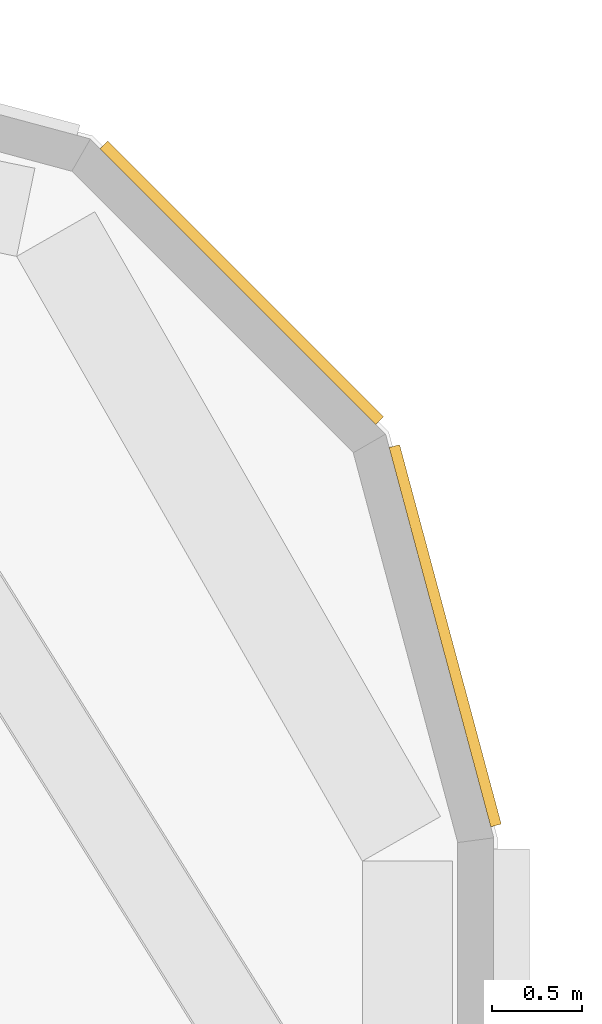
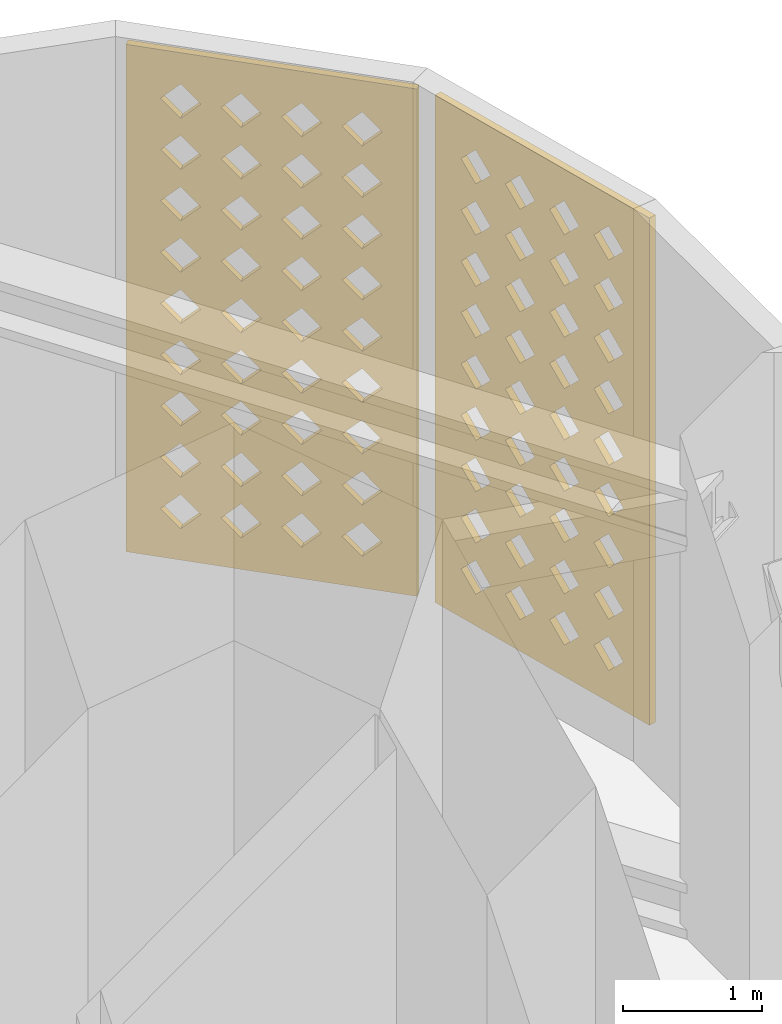
# One storey, part 19 of 20: 2 coverings.
"""IFC4 building model written with IfcOpenShell, lengths in metres."""

from ifc_helpers import new_model, si_unit, direction, frame, origin, place, context, subcontext, project, spatial, polyline, outline, extrude, source, transform, mapped, material, layer, layer_set, type_object, element, save


model = new_model("IFC4")

# Units and contexts
model_context = context("Model", 3, precision=1e-05, world=origin(), true_north=direction((0.0, 1.0)))
body_context = subcontext(model_context, "Body", "Model", "MODEL_VIEW")
ifc_project = project(units=[si_unit("LENGTHUNIT", "METRE"), si_unit("AREAUNIT", "SQUARE_METRE"), si_unit("VOLUMEUNIT", "CUBIC_METRE"), si_unit("PLANEANGLEUNIT", "RADIAN"), si_unit("MASSUNIT", "GRAM", prefix="KILO")], contexts=[model_context])

# Site, building, storey
site_placement = place(None, origin())
site = spatial("IfcSite", under=ifc_project, at=site_placement, CompositionType="ELEMENT")
building_placement = place(site_placement, origin())
building = spatial("IfcBuilding", under=site, at=building_placement, Name="Zarbagh Exchange Tower", CompositionType="ELEMENT")
storey_placement = place(building_placement, frame((0.0, 0.0, 81.60009765625)))
storey = spatial("IfcBuildingStorey", under=building, at=storey_placement, Name="L18", CompositionType="ELEMENT", Elevation=81.60009765625)

# Coverings
ifc_material = material(Name="Glass-fibre reinforced concrete GFRC C50/60", Category="concrete")
ifc_layer = layer(ifc_material, 0.06005859375)
ifc_layer_set = layer_set([ifc_layer], Name="SCREEN jali panel, GFRC")
covering_type = type_object("IfcCoveringType", Name="SCREEN jali panel, GFRC", PredefinedType="CLADDING", material=ifc_layer_set)
shared_shape_1 = source(origin(), body_context, "Body", "SweptSolid", [
    extrude(outline(polyline([(0.0, 0.0), (2.1650390625, 0.0), (2.1650390625, 4.449951171875), (0.0, 4.449951171875), (0.0, 0.0)]), holes=[polyline([(0.257568359375, 0.425048828125), (0.407470703125, 0.27490234375), (0.5576171875, 0.425048828125), (0.407470703125, 0.574951171875), (0.257568359375, 0.425048828125)]), polyline([(0.257568359375, 0.875), (0.407470703125, 0.72509765625), (0.5576171875, 0.875), (0.407470703125, 1.02490234375), (0.257568359375, 0.875)]), polyline([(0.257568359375, 1.324951171875), (0.407470703125, 1.175048828125), (0.5576171875, 1.324951171875), (0.407470703125, 1.47509765625), (0.257568359375, 1.324951171875)]), polyline([(0.257568359375, 1.77490234375), (0.407470703125, 1.625), (0.5576171875, 1.77490234375), (0.407470703125, 1.925048828125), (0.257568359375, 1.77490234375)]), polyline([(0.257568359375, 2.22509765625), (0.407470703125, 2.074951171875), (0.5576171875, 2.22509765625), (0.407470703125, 2.375), (0.257568359375, 2.22509765625)]), polyline([(0.257568359375, 2.675048828125), (0.407470703125, 2.52490234375), (0.5576171875, 2.675048828125), (0.407470703125, 2.824951171875), (0.257568359375, 2.675048828125)]), polyline([(0.257568359375, 3.125), (0.407470703125, 2.97509765625), (0.5576171875, 3.125), (0.407470703125, 3.27490234375), (0.257568359375, 3.125)]), polyline([(0.257568359375, 3.574951171875), (0.407470703125, 3.425048828125), (0.5576171875, 3.574951171875), (0.407470703125, 3.72509765625), (0.257568359375, 3.574951171875)]), polyline([(0.257568359375, 4.02490234375), (0.407470703125, 3.875), (0.5576171875, 4.02490234375), (0.407470703125, 4.175048828125), (0.257568359375, 4.02490234375)]), polyline([(0.70751953125, 0.425048828125), (0.857421875, 0.27490234375), (1.007568359375, 0.425048828125), (0.857421875, 0.574951171875), (0.70751953125, 0.425048828125)]), polyline([(0.70751953125, 0.875), (0.857421875, 0.72509765625), (1.007568359375, 0.875), (0.857421875, 1.02490234375), (0.70751953125, 0.875)]), polyline([(0.70751953125, 1.324951171875), (0.857421875, 1.175048828125), (1.007568359375, 1.324951171875), (0.857421875, 1.47509765625), (0.70751953125, 1.324951171875)]), polyline([(0.70751953125, 1.77490234375), (0.857421875, 1.625), (1.007568359375, 1.77490234375), (0.857421875, 1.925048828125), (0.70751953125, 1.77490234375)]), polyline([(0.70751953125, 2.22509765625), (0.857421875, 2.074951171875), (1.007568359375, 2.22509765625), (0.857421875, 2.375), (0.70751953125, 2.22509765625)]), polyline([(0.70751953125, 2.675048828125), (0.857421875, 2.52490234375), (1.007568359375, 2.675048828125), (0.857421875, 2.824951171875), (0.70751953125, 2.675048828125)]), polyline([(0.70751953125, 3.125), (0.857421875, 2.97509765625), (1.007568359375, 3.125), (0.857421875, 3.27490234375), (0.70751953125, 3.125)]), polyline([(0.70751953125, 3.574951171875), (0.857421875, 3.425048828125), (1.007568359375, 3.574951171875), (0.857421875, 3.72509765625), (0.70751953125, 3.574951171875)]), polyline([(0.70751953125, 4.02490234375), (0.857421875, 3.875), (1.007568359375, 4.02490234375), (0.857421875, 4.175048828125), (0.70751953125, 4.02490234375)]), polyline([(1.157470703125, 0.425048828125), (1.3076171875, 0.27490234375), (1.45751953125, 0.425048828125), (1.3076171875, 0.574951171875), (1.157470703125, 0.425048828125)]), polyline([(1.157470703125, 0.875), (1.3076171875, 0.72509765625), (1.45751953125, 0.875), (1.3076171875, 1.02490234375), (1.157470703125, 0.875)]), polyline([(1.157470703125, 1.324951171875), (1.3076171875, 1.175048828125), (1.45751953125, 1.324951171875), (1.3076171875, 1.47509765625), (1.157470703125, 1.324951171875)]), polyline([(1.157470703125, 1.77490234375), (1.3076171875, 1.625), (1.45751953125, 1.77490234375), (1.3076171875, 1.925048828125), (1.157470703125, 1.77490234375)]), polyline([(1.157470703125, 2.22509765625), (1.3076171875, 2.074951171875), (1.45751953125, 2.22509765625), (1.3076171875, 2.375), (1.157470703125, 2.22509765625)]), polyline([(1.157470703125, 2.675048828125), (1.3076171875, 2.52490234375), (1.45751953125, 2.675048828125), (1.3076171875, 2.824951171875), (1.157470703125, 2.675048828125)]), polyline([(1.157470703125, 3.125), (1.3076171875, 2.97509765625), (1.45751953125, 3.125), (1.3076171875, 3.27490234375), (1.157470703125, 3.125)]), polyline([(1.157470703125, 3.574951171875), (1.3076171875, 3.425048828125), (1.45751953125, 3.574951171875), (1.3076171875, 3.72509765625), (1.157470703125, 3.574951171875)]), polyline([(1.157470703125, 4.02490234375), (1.3076171875, 3.875), (1.45751953125, 4.02490234375), (1.3076171875, 4.175048828125), (1.157470703125, 4.02490234375)]), polyline([(1.607421875, 0.425048828125), (1.757568359375, 0.27490234375), (1.907470703125, 0.425048828125), (1.757568359375, 0.574951171875), (1.607421875, 0.425048828125)]), polyline([(1.607421875, 0.875), (1.757568359375, 0.72509765625), (1.907470703125, 0.875), (1.757568359375, 1.02490234375), (1.607421875, 0.875)]), polyline([(1.607421875, 1.324951171875), (1.757568359375, 1.175048828125), (1.907470703125, 1.324951171875), (1.757568359375, 1.47509765625), (1.607421875, 1.324951171875)]), polyline([(1.607421875, 1.77490234375), (1.757568359375, 1.625), (1.907470703125, 1.77490234375), (1.757568359375, 1.925048828125), (1.607421875, 1.77490234375)]), polyline([(1.607421875, 2.22509765625), (1.757568359375, 2.074951171875), (1.907470703125, 2.22509765625), (1.757568359375, 2.375), (1.607421875, 2.22509765625)]), polyline([(1.607421875, 2.675048828125), (1.757568359375, 2.52490234375), (1.907470703125, 2.675048828125), (1.757568359375, 2.824951171875), (1.607421875, 2.675048828125)]), polyline([(1.607421875, 3.125), (1.757568359375, 2.97509765625), (1.907470703125, 3.125), (1.757568359375, 3.27490234375), (1.607421875, 3.125)]), polyline([(1.607421875, 3.574951171875), (1.757568359375, 3.425048828125), (1.907470703125, 3.574951171875), (1.757568359375, 3.72509765625), (1.607421875, 3.574951171875)]), polyline([(1.607421875, 4.02490234375), (1.757568359375, 3.875), (1.907470703125, 4.02490234375), (1.757568359375, 4.175048828125), (1.607421875, 4.02490234375)])]), origin(), (0.0, 0.0, 1.0), 0.06005859375),
])
placement = place(storey_placement, origin())
element("IfcCovering", 1, at=placement, inside=storey, type_object=covering_type, Name="JS18 jali screen", PredefinedType="CLADDING", context=body_context, shape_type="MappedRepresentation", body=[
    mapped(shared_shape_1, transform((6.074951171875, 31.5439453125, 0.199951171875), x_axis=(-0.707106781187, 0.707106781187, 0.0), y_axis=(0.0, 0.0, 1.0), z_axis=(0.707106781187, 0.707106781187, 0.0))),
])
shared_shape_2 = source(origin(), body_context, "Body", "SweptSolid", [
    extrude(outline(polyline([(0.0, 0.0), (2.181396484375, 0.0), (2.181396484375, 4.449951171875), (0.0, 4.449951171875), (0.0, 0.0)]), holes=[polyline([(0.265625, 0.425048828125), (0.415771484375, 0.27490234375), (0.565673828125, 0.425048828125), (0.415771484375, 0.574951171875), (0.265625, 0.425048828125)]), polyline([(0.265625, 0.875), (0.415771484375, 0.72509765625), (0.565673828125, 0.875), (0.415771484375, 1.02490234375), (0.265625, 0.875)]), polyline([(0.265625, 1.324951171875), (0.415771484375, 1.175048828125), (0.565673828125, 1.324951171875), (0.415771484375, 1.47509765625), (0.265625, 1.324951171875)]), polyline([(0.265625, 1.77490234375), (0.415771484375, 1.625), (0.565673828125, 1.77490234375), (0.415771484375, 1.925048828125), (0.265625, 1.77490234375)]), polyline([(0.265625, 2.22509765625), (0.415771484375, 2.074951171875), (0.565673828125, 2.22509765625), (0.415771484375, 2.375), (0.265625, 2.22509765625)]), polyline([(0.265625, 2.675048828125), (0.415771484375, 2.52490234375), (0.565673828125, 2.675048828125), (0.415771484375, 2.824951171875), (0.265625, 2.675048828125)]), polyline([(0.265625, 3.125), (0.415771484375, 2.97509765625), (0.565673828125, 3.125), (0.415771484375, 3.27490234375), (0.265625, 3.125)]), polyline([(0.265625, 3.574951171875), (0.415771484375, 3.425048828125), (0.565673828125, 3.574951171875), (0.415771484375, 3.72509765625), (0.265625, 3.574951171875)]), polyline([(0.265625, 4.02490234375), (0.415771484375, 3.875), (0.565673828125, 4.02490234375), (0.415771484375, 4.175048828125), (0.265625, 4.02490234375)]), polyline([(0.7158203125, 0.425048828125), (0.86572265625, 0.27490234375), (1.015625, 0.425048828125), (0.86572265625, 0.574951171875), (0.7158203125, 0.425048828125)]), polyline([(0.7158203125, 0.875), (0.86572265625, 0.72509765625), (1.015625, 0.875), (0.86572265625, 1.02490234375), (0.7158203125, 0.875)]), polyline([(0.7158203125, 1.324951171875), (0.86572265625, 1.175048828125), (1.015625, 1.324951171875), (0.86572265625, 1.47509765625), (0.7158203125, 1.324951171875)]), polyline([(0.7158203125, 1.77490234375), (0.86572265625, 1.625), (1.015625, 1.77490234375), (0.86572265625, 1.925048828125), (0.7158203125, 1.77490234375)]), polyline([(0.7158203125, 2.22509765625), (0.86572265625, 2.074951171875), (1.015625, 2.22509765625), (0.86572265625, 2.375), (0.7158203125, 2.22509765625)]), polyline([(0.7158203125, 2.675048828125), (0.86572265625, 2.52490234375), (1.015625, 2.675048828125), (0.86572265625, 2.824951171875), (0.7158203125, 2.675048828125)]), polyline([(0.7158203125, 3.125), (0.86572265625, 2.97509765625), (1.015625, 3.125), (0.86572265625, 3.27490234375), (0.7158203125, 3.125)]), polyline([(0.7158203125, 3.574951171875), (0.86572265625, 3.425048828125), (1.015625, 3.574951171875), (0.86572265625, 3.72509765625), (0.7158203125, 3.574951171875)]), polyline([(0.7158203125, 4.02490234375), (0.86572265625, 3.875), (1.015625, 4.02490234375), (0.86572265625, 4.175048828125), (0.7158203125, 4.02490234375)]), polyline([(1.165771484375, 0.425048828125), (1.315673828125, 0.27490234375), (1.4658203125, 0.425048828125), (1.315673828125, 0.574951171875), (1.165771484375, 0.425048828125)]), polyline([(1.165771484375, 0.875), (1.315673828125, 0.72509765625), (1.4658203125, 0.875), (1.315673828125, 1.02490234375), (1.165771484375, 0.875)]), polyline([(1.165771484375, 1.324951171875), (1.315673828125, 1.175048828125), (1.4658203125, 1.324951171875), (1.315673828125, 1.47509765625), (1.165771484375, 1.324951171875)]), polyline([(1.165771484375, 1.77490234375), (1.315673828125, 1.625), (1.4658203125, 1.77490234375), (1.315673828125, 1.925048828125), (1.165771484375, 1.77490234375)]), polyline([(1.165771484375, 2.22509765625), (1.315673828125, 2.074951171875), (1.4658203125, 2.22509765625), (1.315673828125, 2.375), (1.165771484375, 2.22509765625)]), polyline([(1.165771484375, 2.675048828125), (1.315673828125, 2.52490234375), (1.4658203125, 2.675048828125), (1.315673828125, 2.824951171875), (1.165771484375, 2.675048828125)]), polyline([(1.165771484375, 3.125), (1.315673828125, 2.97509765625), (1.4658203125, 3.125), (1.315673828125, 3.27490234375), (1.165771484375, 3.125)]), polyline([(1.165771484375, 3.574951171875), (1.315673828125, 3.425048828125), (1.4658203125, 3.574951171875), (1.315673828125, 3.72509765625), (1.165771484375, 3.574951171875)]), polyline([(1.165771484375, 4.02490234375), (1.315673828125, 3.875), (1.4658203125, 4.02490234375), (1.315673828125, 4.175048828125), (1.165771484375, 4.02490234375)]), polyline([(1.61572265625, 0.425048828125), (1.765625, 0.27490234375), (1.915771484375, 0.425048828125), (1.765625, 0.574951171875), (1.61572265625, 0.425048828125)]), polyline([(1.61572265625, 0.875), (1.765625, 0.72509765625), (1.915771484375, 0.875), (1.765625, 1.02490234375), (1.61572265625, 0.875)]), polyline([(1.61572265625, 1.324951171875), (1.765625, 1.175048828125), (1.915771484375, 1.324951171875), (1.765625, 1.47509765625), (1.61572265625, 1.324951171875)]), polyline([(1.61572265625, 1.77490234375), (1.765625, 1.625), (1.915771484375, 1.77490234375), (1.765625, 1.925048828125), (1.61572265625, 1.77490234375)]), polyline([(1.61572265625, 2.22509765625), (1.765625, 2.074951171875), (1.915771484375, 2.22509765625), (1.765625, 2.375), (1.61572265625, 2.22509765625)]), polyline([(1.61572265625, 2.675048828125), (1.765625, 2.52490234375), (1.915771484375, 2.675048828125), (1.765625, 2.824951171875), (1.61572265625, 2.675048828125)]), polyline([(1.61572265625, 3.125), (1.765625, 2.97509765625), (1.915771484375, 3.125), (1.765625, 3.27490234375), (1.61572265625, 3.125)]), polyline([(1.61572265625, 3.574951171875), (1.765625, 3.425048828125), (1.915771484375, 3.574951171875), (1.765625, 3.72509765625), (1.61572265625, 3.574951171875)]), polyline([(1.61572265625, 4.02490234375), (1.765625, 3.875), (1.915771484375, 4.02490234375), (1.765625, 4.175048828125), (1.61572265625, 4.02490234375)])]), origin(), (0.0, 0.0, 1.0), 0.06005859375),
])
element("IfcCovering", 2, at=placement, inside=storey, type_object=covering_type, Name="JS17 jali screen", PredefinedType="CLADDING", context=body_context, shape_type="MappedRepresentation", body=[
    mapped(shared_shape_2, transform((6.713623046875, 29.308349609375, 0.199951171875), x_axis=(-0.258825057666, 0.965924215207, 0.0), y_axis=(0.0, 0.0, 1.0), z_axis=(0.965924215207, 0.258825057666, 0.0))),
])

save(model, "model.ifc")
